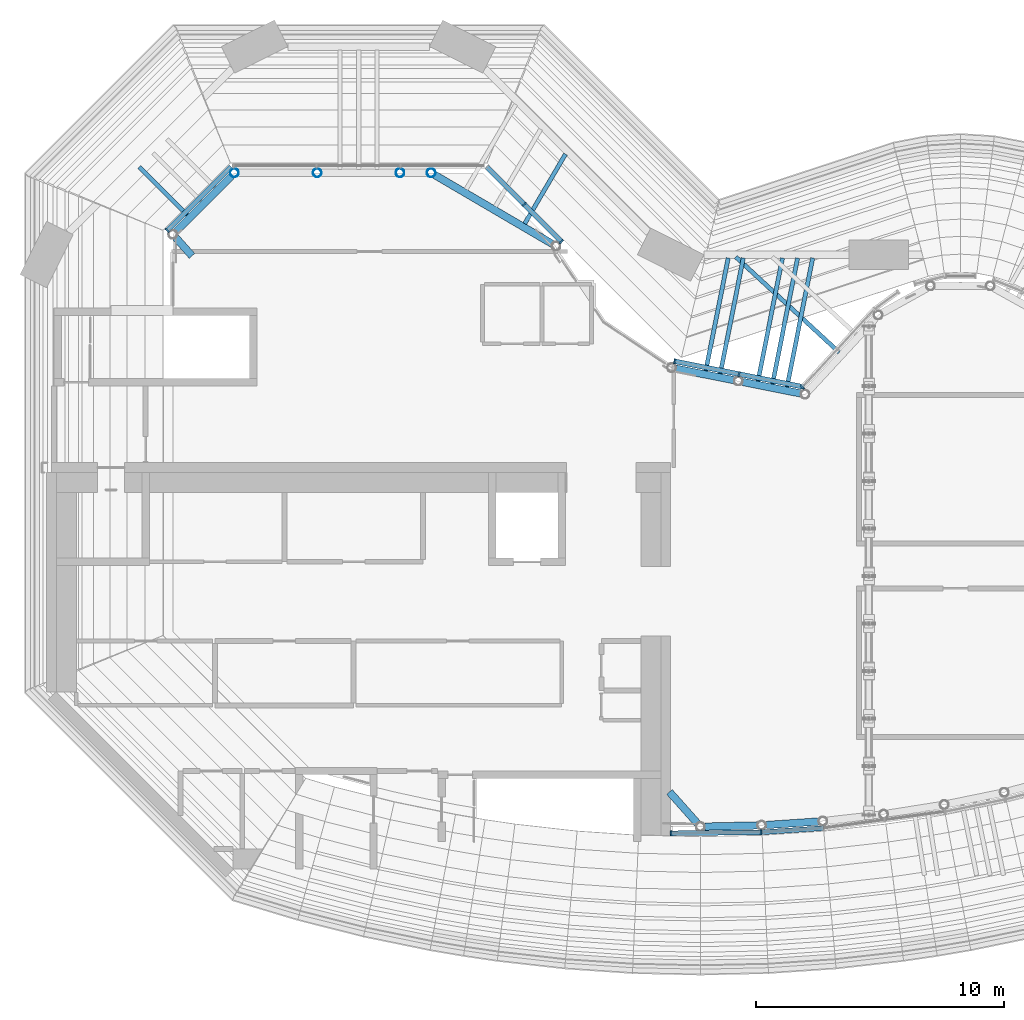
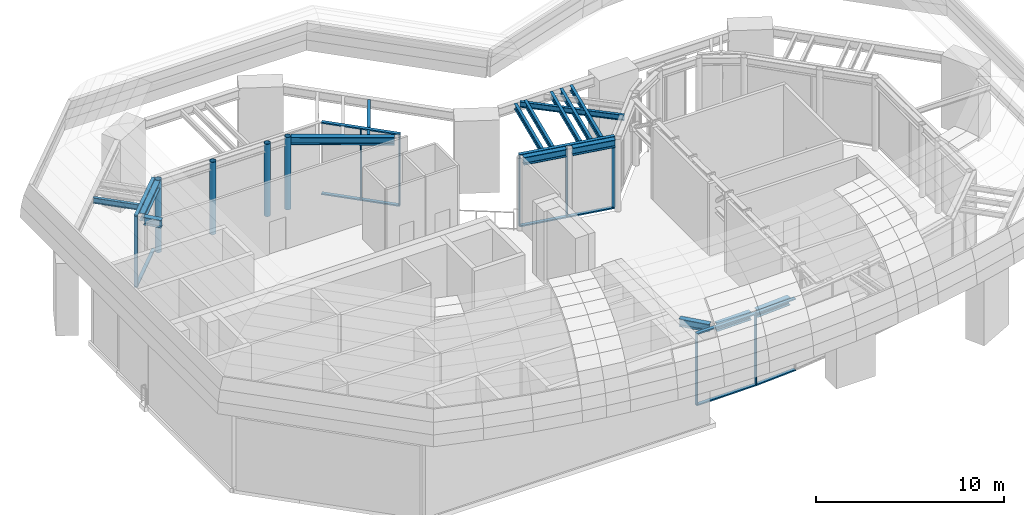
# One storey, part 3 of 20: 18 members, 16 beams, 4 columns, 6 elements without a shape of their own.
"""IFC4 building model written with IfcOpenShell, lengths in metres."""

from ifc_helpers import new_model, si_unit, direction, frame, origin, origin_2d, place, context, subcontext, project, spatial, rectangle, hollow_circle, i_section, extrude, material, material_profile, profile_set, type_object, element, aggregate, save


model = new_model("IFC4")

# Units and contexts
model_context = context("Model", 3, precision=1e-05, world=origin(), true_north=direction((0.0, 1.0)))
body_context = subcontext(model_context, "Body", "Model", "MODEL_VIEW")
ifc_project = project(units=[si_unit("LENGTHUNIT", "METRE"), si_unit("AREAUNIT", "SQUARE_METRE"), si_unit("VOLUMEUNIT", "CUBIC_METRE"), si_unit("PLANEANGLEUNIT", "RADIAN"), si_unit("MASSUNIT", "GRAM", prefix="KILO")], contexts=[model_context])

# Site, building, storey
site_placement = place(None, origin())
site = spatial("IfcSite", under=ifc_project, at=site_placement, CompositionType="ELEMENT")
building_placement = place(site_placement, origin())
building = spatial("IfcBuilding", under=site, at=building_placement, Name="Brevane Broadcast Tower", CompositionType="ELEMENT")
storey_placement = place(building_placement, frame((0.0, 0.0, 264.199951171875)))
storey = spatial("IfcBuildingStorey", under=building, at=storey_placement, Name="L66", CompositionType="ELEMENT", Elevation=264.199951171875)

# Columns
ifc_material_1 = material(Name="Steel S355", Category="steel")
ifc_material_profile_1 = material_profile(ifc_material_1, hollow_circle(Radius=0.177734375, WallThickness=0.012451171875, at=origin_2d()), Name="CHS 355.6x12.5")
ifc_profile_set_1 = profile_set([ifc_material_profile_1], Name="Steel S355")
column_type = type_object("IfcColumnType", Name="STEEL ENCLOSURE POST CHS 355.6x12.5 S355", PredefinedType="COLUMN", material=ifc_profile_set_1)
for number, where, z_axis, x_axis, name in (
    (1, (7.585205078125, 28.5, 0.0), (0.0, 0.0, 1.0), (1.0, 0.0, 0.0), "SP2 2"),
    (2, (10.928466796875, 28.5, 0.0), (0.0, 0.0, 1.0), (1.0, 0.0, 0.0), "SP2 3"),
    (3, (14.271484375, 28.5, 0.0), (0.0, 0.0, 1.0), (1.0, 0.0, 0.0), "SP2 4"),
    (4, (15.52880859375, 28.5, 0.0), (0.0, 0.0, 1.0), (1.0, 0.0, 0.0), "SP2 5"),
):
    element("IfcColumn", number, at=place(storey_placement, frame(where, z_axis=z_axis, x_axis=x_axis)), inside=storey, type_object=column_type, Name=name, PredefinedType="COLUMN", context=body_context, shape_type="SweptSolid", body=[
        extrude(hollow_circle(Radius=0.177734375, WallThickness=0.012451171875, at=origin_2d()), origin(), (0.0, 0.0, 1.0), 4.699951171875),
    ])

# Curtain wall, members
ifc_material_2 = material(Name="Aluminium 6063-T6 bronze anodised", Category="aluminium")
curtain_wall_type = type_object("IfcCurtainWallType", Name="CW-5 curtain wall", PredefinedType="NOTDEFINED", material=ifc_material_2)
curtain_wall_1_placement = place(storey_placement, origin())
curtain_wall_1 = element("IfcCurtainWall", 5, at=curtain_wall_1_placement, inside=storey, type_object=curtain_wall_type, Name="CW-5 gallery glazing 1", PredefinedType="NOTDEFINED")
ifc_material_profile_2 = material_profile(ifc_material_2, rectangle(XDim=0.199951171875, YDim=0.06005859375, at=origin_2d()), Name="RECT 60x200")
ifc_profile_set_2 = profile_set([ifc_material_profile_2], Name="Aluminium 6063-T6 bronze anodised")
member_type_1 = type_object("IfcMemberType", Name="CW-5 hall mullion 60x200", PredefinedType="MULLION", material=ifc_profile_set_2)
member_1_placement = place(storey_placement, frame((25.211181640625, 1.8349609375, 0.080078125), z_axis=(0.0, 0.0, 1.0), x_axis=(-0.011243631559, 0.999936788377, 0.0)))
member_1 = element("IfcMember", 6, at=member_1_placement, type_object=member_type_1, Name="CW-5 gallery glazing mullion", PredefinedType="MULLION", context=body_context, shape_type="SweptSolid", body=[
    extrude(rectangle(XDim=0.199951171875, YDim=0.06005859375, at=origin_2d()), origin(), (0.0, 0.0, 1.0), 4.5400390625),
])
member_2_placement = place(storey_placement, frame((28.853515625, 1.8759765625, 0.080078125), z_axis=(0.0, 0.0, 1.0), x_axis=(-0.011243631559, 0.999936788377, 0.0)))
member_2 = element("IfcMember", 7, at=member_2_placement, type_object=member_type_1, Name="CW-5 gallery glazing mullion", PredefinedType="MULLION", context=body_context, shape_type="SweptSolid", body=[
    extrude(rectangle(XDim=0.199951171875, YDim=0.06005859375, at=origin_2d()), origin(), (0.0, 0.0, 1.0), 4.5400390625),
])

# Curtain wall, member
curtain_wall_2_placement = place(storey_placement, origin())
curtain_wall_2 = element("IfcCurtainWall", 8, at=curtain_wall_2_placement, inside=storey, type_object=curtain_wall_type, Name="CW-5 gallery glazing 14", PredefinedType="NOTDEFINED")
member_3_placement = place(storey_placement, frame((30.5107421875, 19.84521484375, 0.080078125), z_axis=(0.0, 0.0, 1.0), x_axis=(0.734785014559, -0.678300068097, 0.0)))
member_3 = element("IfcMember", 9, at=member_3_placement, type_object=member_type_1, Name="CW-5 gallery glazing mullion", PredefinedType="MULLION", context=body_context, shape_type="SweptSolid", body=[
    extrude(rectangle(XDim=0.199951171875, YDim=0.06005859375, at=origin_2d()), origin(), (0.0, 0.0, 1.0), 4.5400390625),
])
aggregate(curtain_wall_2, [member_3])

# Curtain wall, members
curtain_wall_3_placement = place(storey_placement, origin())
curtain_wall_3 = element("IfcCurtainWall", 10, at=curtain_wall_3_placement, inside=storey, type_object=curtain_wall_type, Name="CW-5 gallery glazing 15", PredefinedType="NOTDEFINED")
member_4_placement = place(storey_placement, frame((27.956787109375, 20.3759765625, 0.080078125), z_axis=(0.0, 0.0, 1.0), x_axis=(-0.195090245294, -0.980785295664, 0.0)))
member_4 = element("IfcMember", 11, at=member_4_placement, type_object=member_type_1, Name="CW-5 gallery glazing mullion", PredefinedType="MULLION", context=body_context, shape_type="SweptSolid", body=[
    extrude(rectangle(XDim=0.199951171875, YDim=0.06005859375, at=origin_2d()), origin(), (0.0, 0.0, 1.0), 4.5400390625),
])
member_5_placement = place(storey_placement, frame((25.359619140625, 20.892578125, 0.080078125), z_axis=(0.0, 0.0, 1.0), x_axis=(-0.195090245294, -0.980785295664, 0.0)))
member_5 = element("IfcMember", 12, at=member_5_placement, type_object=member_type_1, Name="CW-5 gallery glazing mullion", PredefinedType="MULLION", context=body_context, shape_type="SweptSolid", body=[
    extrude(rectangle(XDim=0.199951171875, YDim=0.06005859375, at=origin_2d()), origin(), (0.0, 0.0, 1.0), 4.5400390625),
])

curtain_wall_4_placement = place(storey_placement, origin())
curtain_wall_4 = element("IfcCurtainWall", 13, at=curtain_wall_4_placement, inside=storey, type_object=curtain_wall_type, Name="CW-5 gallery glazing 16", PredefinedType="NOTDEFINED")
member_6_placement = place(storey_placement, frame((20.78564453125, 25.724853515625, 0.080078125), z_axis=(0.0, 0.0, 1.0), x_axis=(-0.707106781187, -0.707106781187, 0.0)))
member_6 = element("IfcMember", 14, at=member_6_placement, type_object=member_type_1, Name="CW-5 gallery glazing mullion", PredefinedType="MULLION", context=body_context, shape_type="SweptSolid", body=[
    extrude(rectangle(XDim=0.199951171875, YDim=0.06005859375, at=origin_2d()), origin(), (0.0, 0.0, 1.0), 4.5400390625),
])
member_7_placement = place(storey_placement, frame((19.283447265625, 27.227294921875, 0.080078125), z_axis=(0.0, 0.0, 1.0), x_axis=(-0.707106781187, -0.707106781187, 0.0)))
member_7 = element("IfcMember", 15, at=member_7_placement, type_object=member_type_1, Name="CW-5 gallery glazing mullion", PredefinedType="MULLION", context=body_context, shape_type="SweptSolid", body=[
    extrude(rectangle(XDim=0.199951171875, YDim=0.06005859375, at=origin_2d()), origin(), (0.0, 0.0, 1.0), 4.5400390625),
])

# Curtain wall, member
curtain_wall_5_placement = place(storey_placement, origin())
curtain_wall_5 = element("IfcCurtainWall", 16, at=curtain_wall_5_placement, inside=storey, type_object=curtain_wall_type, Name="CW-5 gallery glazing 18", PredefinedType="NOTDEFINED")
member_8_placement = place(storey_placement, frame((4.87060546875, 26.18115234375, 0.080078125), z_axis=(0.0, 0.0, 1.0), x_axis=(0.707106781187, -0.707106781187, 0.0)))
member_8 = element("IfcMember", 17, at=member_8_placement, type_object=member_type_1, Name="CW-5 gallery glazing mullion", PredefinedType="MULLION", context=body_context, shape_type="SweptSolid", body=[
    extrude(rectangle(XDim=0.199951171875, YDim=0.06005859375, at=origin_2d()), origin(), (0.0, 0.0, 1.0), 4.5400390625),
])

# Member
ifc_material_profile_3 = material_profile(ifc_material_2, rectangle(XDim=0.199951171875, YDim=0.080078125, at=origin_2d()), Name="RECT 80x200")
ifc_profile_set_3 = profile_set([ifc_material_profile_3], Name="Aluminium 6063-T6 bronze anodised")
member_type_2 = type_object("IfcMemberType", Name="CW-5 hall transom 80x200", PredefinedType="USERDEFINED", material=ifc_profile_set_3)
member_9_placement = place(storey_placement, frame((25.18115234375, 1.83447265625, 0.0400390625), z_axis=(0.999936432375, 0.011275247605, 0.0), x_axis=(-0.011275247605, 0.999936432375, 0.0)))
member_9 = element("IfcMember", 18, at=member_9_placement, type_object=member_type_2, Name="CW-5 gallery glazing transom", ObjectType="TRANSOM", PredefinedType="USERDEFINED", context=body_context, shape_type="SweptSolid", body=[
    extrude(rectangle(XDim=0.199951171875, YDim=0.080078125, at=origin_2d()), origin(), (0.0, 0.0, 1.0), 3.70263671875),
])

member_10_placement = place(storey_placement, frame((25.18115234375, 1.83447265625, 4.66015625), z_axis=(0.999936432375, 0.011275247605, 0.0), x_axis=(-0.011275247605, 0.999936432375, 0.0)))
member_10 = element("IfcMember", 19, at=member_10_placement, type_object=member_type_2, Name="CW-5 gallery glazing transom", ObjectType="TRANSOM", PredefinedType="USERDEFINED", context=body_context, shape_type="SweptSolid", body=[
    extrude(rectangle(XDim=0.199951171875, YDim=0.080078125, at=origin_2d()), origin(), (0.0, 0.0, 1.0), 3.70263671875),
])

aggregate(curtain_wall_1, [member_1, member_2, member_9, member_10])

# Curtain wall, members
curtain_wall_6_placement = place(storey_placement, origin())
curtain_wall_6 = element("IfcCurtainWall", 20, at=curtain_wall_6_placement, inside=storey, type_object=curtain_wall_type, Name="CW-5 gallery glazing 2", PredefinedType="NOTDEFINED")
member_11_placement = place(storey_placement, frame((28.88916015625, 1.87646484375, 0.0400390625), z_axis=(0.997722953069, 0.067445599705, 0.0), x_axis=(-0.067445599705, 0.997722953069, 0.0)))
member_11 = element("IfcMember", 21, at=member_11_placement, type_object=member_type_2, Name="CW-5 gallery glazing transom", ObjectType="TRANSOM", PredefinedType="USERDEFINED", context=body_context, shape_type="SweptSolid", body=[
    extrude(rectangle(XDim=0.199951171875, YDim=0.080078125, at=origin_2d()), origin(), (0.0, 0.0, 1.0), 2.483154296875),
])
member_12_placement = place(storey_placement, frame((28.88916015625, 1.87646484375, 4.66015625), z_axis=(0.997722953069, 0.067445599705, 0.0), x_axis=(-0.067445599705, 0.997722953069, 0.0)))
member_12 = element("IfcMember", 22, at=member_12_placement, type_object=member_type_2, Name="CW-5 gallery glazing transom", ObjectType="TRANSOM", PredefinedType="USERDEFINED", context=body_context, shape_type="SweptSolid", body=[
    extrude(rectangle(XDim=0.199951171875, YDim=0.080078125, at=origin_2d()), origin(), (0.0, 0.0, 1.0), 2.483154296875),
])
aggregate(curtain_wall_6, [member_11, member_12])

# Member
member_13_placement = place(storey_placement, frame((30.583251953125, 19.853515625, 0.0400390625), z_axis=(-0.980783522829, 0.19509915773, 0.0), x_axis=(-0.19509915773, -0.980783522829, 0.0)))
member_13 = element("IfcMember", 23, at=member_13_placement, type_object=member_type_2, Name="CW-5 gallery glazing transom", ObjectType="TRANSOM", PredefinedType="USERDEFINED", context=body_context, shape_type="SweptSolid", body=[
    extrude(rectangle(XDim=0.199951171875, YDim=0.080078125, at=origin_2d()), origin(), (0.0, 0.0, 1.0), 5.35595703125),
])

member_14_placement = place(storey_placement, frame((30.583251953125, 19.853515625, 4.66015625), z_axis=(-0.980783522829, 0.19509915773, 0.0), x_axis=(-0.19509915773, -0.980783522829, 0.0)))
member_14 = element("IfcMember", 24, at=member_14_placement, type_object=member_type_2, Name="CW-5 gallery glazing transom", ObjectType="TRANSOM", PredefinedType="USERDEFINED", context=body_context, shape_type="SweptSolid", body=[
    extrude(rectangle(XDim=0.199951171875, YDim=0.080078125, at=origin_2d()), origin(), (0.0, 0.0, 1.0), 5.35595703125),
])

aggregate(curtain_wall_3, [member_4, member_5, member_13, member_14])

member_15_placement = place(storey_placement, frame((20.806884765625, 25.70361328125, 0.0400390625), z_axis=(-0.707078452155, 0.707135109083, 0.0), x_axis=(-0.707135109083, -0.707078452155, 0.0)))
member_15 = element("IfcMember", 25, at=member_15_placement, type_object=member_type_2, Name="CW-5 gallery glazing transom", ObjectType="TRANSOM", PredefinedType="USERDEFINED", context=body_context, shape_type="SweptSolid", body=[
    extrude(rectangle(XDim=0.199951171875, YDim=0.080078125, at=origin_2d()), origin(), (0.0, 0.0, 1.0), 4.30908203125),
])

member_16_placement = place(storey_placement, frame((20.806884765625, 25.70361328125, 4.66015625), z_axis=(-0.707078452155, 0.707135109083, 0.0), x_axis=(-0.707135109083, -0.707078452155, 0.0)))
member_16 = element("IfcMember", 26, at=member_16_placement, type_object=member_type_2, Name="CW-5 gallery glazing transom", ObjectType="TRANSOM", PredefinedType="USERDEFINED", context=body_context, shape_type="SweptSolid", body=[
    extrude(rectangle(XDim=0.199951171875, YDim=0.080078125, at=origin_2d()), origin(), (0.0, 0.0, 1.0), 4.30908203125),
])

aggregate(curtain_wall_4, [member_6, member_7, member_15, member_16])

member_17_placement = place(storey_placement, frame((7.43994140625, 28.750732421875, 0.0400390625), z_axis=(-0.707073462455, -0.707140098348, 0.0), x_axis=(0.707140098348, -0.707073462455, 0.0)))
member_17 = element("IfcMember", 27, at=member_17_placement, type_object=member_type_2, Name="CW-5 gallery glazing transom", ObjectType="TRANSOM", PredefinedType="USERDEFINED", context=body_context, shape_type="SweptSolid", body=[
    extrude(rectangle(XDim=0.199951171875, YDim=0.080078125, at=origin_2d()), origin(), (0.0, 0.0, 1.0), 3.663818359375),
])

member_18_placement = place(storey_placement, frame((7.43994140625, 28.750732421875, 4.66015625), z_axis=(-0.707073462455, -0.707140098348, 0.0), x_axis=(0.707140098348, -0.707073462455, 0.0)))
member_18 = element("IfcMember", 28, at=member_18_placement, type_object=member_type_2, Name="CW-5 gallery glazing transom", ObjectType="TRANSOM", PredefinedType="USERDEFINED", context=body_context, shape_type="SweptSolid", body=[
    extrude(rectangle(XDim=0.199951171875, YDim=0.080078125, at=origin_2d()), origin(), (0.0, 0.0, 1.0), 3.663818359375),
])

aggregate(curtain_wall_5, [member_8, member_17, member_18])

# Beams
ifc_material_profile_4 = material_profile(ifc_material_1, i_section(OverallWidth=0.169921875, OverallDepth=0.360107421875, WebThickness=0.008056640625, FlangeThickness=0.0126953125, FilletRadius=0.01806640625, at=origin_2d()), Name="IPE 360")
ifc_profile_set_4 = profile_set([ifc_material_profile_4], Name="Steel S355")
beam_type_1 = type_object("IfcBeamType", Name="STEEL CANOPY RAFTER IPE 360 S355", PredefinedType="BEAM", material=ifc_profile_set_4)
beam_1_placement = place(storey_placement, frame((5.685302734375, 26.7978515625, 4.52001953125), z_axis=(-0.70715116538, 0.707062394207, 0.0), x_axis=(-0.707062394207, -0.70715116538, 0.0)))
element("IfcBeam", 29, at=beam_1_placement, inside=storey, type_object=beam_type_1, Name="SB2 1", PredefinedType="BEAM", context=body_context, shape_type="SweptSolid", body=[
    extrude(i_section(OverallWidth=0.169921875, OverallDepth=0.360107421875, WebThickness=0.008056640625, FlangeThickness=0.0126953125, FilletRadius=0.01806640625, at=origin_2d()), origin(), (0.0, 0.0, 1.0), 2.750244140625),
])
beam_2_placement = place(storey_placement, frame((19.30419921875, 26.448974609375, 4.52001953125), z_axis=(0.505790702937, 0.862656226328, 0.0), x_axis=(-0.862656226328, 0.505790702937, 0.0)))
element("IfcBeam", 30, at=beam_2_placement, inside=storey, type_object=beam_type_1, Name="SB2 9", PredefinedType="BEAM", context=body_context, shape_type="SweptSolid", body=[
    extrude(i_section(OverallWidth=0.169921875, OverallDepth=0.360107421875, WebThickness=0.008056640625, FlangeThickness=0.0126953125, FilletRadius=0.01806640625, at=origin_2d()), origin(), (0.0, 0.0, 1.0), 3.255859375),
])
beam_3_placement = place(storey_placement, frame((26.614501953125, 20.500244140625, 4.52001953125), z_axis=(0.195126957198, 0.980777992501, 0.0), x_axis=(-0.980777992501, 0.195126957198, 0.0)))
element("IfcBeam", 31, at=beam_3_placement, inside=storey, type_object=beam_type_1, Name="SB2 10", PredefinedType="BEAM", context=body_context, shape_type="SweptSolid", body=[
    extrude(i_section(OverallWidth=0.169921875, OverallDepth=0.360107421875, WebThickness=0.008056640625, FlangeThickness=0.0126953125, FilletRadius=0.01806640625, at=origin_2d()), origin(), (0.0, 0.0, 1.0), 4.65185546875),
])
beam_4_placement = place(storey_placement, frame((27.20068359375, 20.383544921875, 4.52001953125), z_axis=(0.195122100072, 0.98077895882, 0.0), x_axis=(-0.98077895882, 0.195122100072, 0.0)))
element("IfcBeam", 32, at=beam_4_placement, inside=storey, type_object=beam_type_1, Name="SB2 11", PredefinedType="BEAM", context=body_context, shape_type="SweptSolid", body=[
    extrude(i_section(OverallWidth=0.169921875, OverallDepth=0.360107421875, WebThickness=0.008056640625, FlangeThickness=0.0126953125, FilletRadius=0.01806640625, at=origin_2d()), origin(), (0.0, 0.0, 1.0), 4.77099609375),
])
beam_5_placement = place(storey_placement, frame((28.721923828125, 20.0810546875, 4.52001953125), z_axis=(0.195099252282, 0.980783504021, 0.0), x_axis=(-0.980783504021, 0.195099252282, 0.0)))
element("IfcBeam", 33, at=beam_5_placement, inside=storey, type_object=beam_type_1, Name="SB2 12", PredefinedType="BEAM", context=body_context, shape_type="SweptSolid", body=[
    extrude(i_section(OverallWidth=0.169921875, OverallDepth=0.360107421875, WebThickness=0.008056640625, FlangeThickness=0.0126953125, FilletRadius=0.01806640625, at=origin_2d()), origin(), (0.0, 0.0, 1.0), 5.079345703125),
])
beam_6_placement = place(storey_placement, frame((29.30810546875, 19.96435546875, 4.52001953125), z_axis=(0.195095428591, 0.980784264629, 0.0), x_axis=(-0.980784264629, 0.195095428591, 0.0)))
element("IfcBeam", 34, at=beam_6_placement, inside=storey, type_object=beam_type_1, Name="SB2 13", PredefinedType="BEAM", context=body_context, shape_type="SweptSolid", body=[
    extrude(i_section(OverallWidth=0.169921875, OverallDepth=0.360107421875, WebThickness=0.008056640625, FlangeThickness=0.0126953125, FilletRadius=0.01806640625, at=origin_2d()), origin(), (0.0, 0.0, 1.0), 5.1982421875),
])
beam_7_placement = place(storey_placement, frame((29.89453125, 19.847900390625, 4.52001953125), z_axis=(0.195056392253, 0.980792028843, 0.0), x_axis=(-0.980792028843, 0.195056392253, 0.0)))
element("IfcBeam", 35, at=beam_7_placement, inside=storey, type_object=beam_type_1, Name="SB2 14", PredefinedType="BEAM", context=body_context, shape_type="SweptSolid", body=[
    extrude(i_section(OverallWidth=0.169921875, OverallDepth=0.360107421875, WebThickness=0.008056640625, FlangeThickness=0.0126953125, FilletRadius=0.01806640625, at=origin_2d()), origin(), (0.0, 0.0, 1.0), 5.31689453125),
])
beam_8_placement = place(storey_placement, frame((32.001708984375, 21.25390625, 4.52001953125), z_axis=(-0.734793553047, 0.678290818455, 0.0), x_axis=(-0.678290818455, -0.734793553047, 0.0)))
element("IfcBeam", 36, at=beam_8_placement, inside=storey, type_object=beam_type_1, Name="SB2 15", PredefinedType="BEAM", context=body_context, shape_type="SweptSolid", body=[
    extrude(i_section(OverallWidth=0.169921875, OverallDepth=0.360107421875, WebThickness=0.008056640625, FlangeThickness=0.0126953125, FilletRadius=0.01806640625, at=origin_2d()), origin(), (0.0, 0.0, 1.0), 5.677734375),
])
ifc_material_profile_5 = material_profile(ifc_material_1, i_section(OverallWidth=0.300048828125, OverallDepth=0.5, WebThickness=0.014404296875, FlangeThickness=0.028076171875, FilletRadius=0.027099609375, at=origin_2d()), Name="HE 500 B")
ifc_profile_set_5 = profile_set([ifc_material_profile_5], Name="Steel S355")
beam_type_2 = type_object("IfcBeamType", Name="STEEL ENCLOSURE RING BEAM HE 500 B S355", PredefinedType="BEAM", material=ifc_profile_set_5)
beam_9_placement = place(storey_placement, frame((5.225830078125, 26.140380859375, 4.449951171875), z_axis=(0.707068138304, 0.707145421957, 0.0), x_axis=(-0.707145421957, 0.707068138304, 0.0)))
element("IfcBeam", 37, at=beam_9_placement, inside=storey, type_object=beam_type_2, Name="SB3 E1", PredefinedType="BEAM", context=body_context, shape_type="SweptSolid", body=[
    extrude(i_section(OverallWidth=0.300048828125, OverallDepth=0.5, WebThickness=0.014404296875, FlangeThickness=0.028076171875, FilletRadius=0.027099609375, at=origin_2d()), origin(), (0.0, 0.0, 1.0), 3.158935546875),
])
beam_10_placement = place(storey_placement, frame((15.68212890625, 28.41015625, 4.449951171875), z_axis=(0.862687932425, -0.505736622412, 0.0), x_axis=(0.505736622412, 0.862687932425, 0.0)))
element("IfcBeam", 38, at=beam_10_placement, inside=storey, type_object=beam_type_2, Name="SB3 E5", PredefinedType="BEAM", context=body_context, shape_type="SweptSolid", body=[
    extrude(i_section(OverallWidth=0.300048828125, OverallDepth=0.5, WebThickness=0.014404296875, FlangeThickness=0.028076171875, FilletRadius=0.027099609375, at=origin_2d()), origin(), (0.0, 0.0, 1.0), 5.48876953125),
])
for number, where, z_axis, x_axis, name in (
    (39, (25.414794921875, 20.59619140625, 4.449951171875), (0.98077655153, -0.195134199893, 0.0), (0.195134199893, 0.98077655153, 0.0), "SB3 E7"),
    (40, (28.1083984375, 20.060302734375, 4.449951171875), (0.980796089323, -0.195035974035, 0.0), (0.195035974035, 0.980796089323, 0.0), "SB3 E8"),
):
    element("IfcBeam", number, at=place(storey_placement, frame(where, z_axis=z_axis, x_axis=x_axis)), inside=storey, type_object=beam_type_2, Name=name, PredefinedType="BEAM", context=body_context, shape_type="SweptSolid", body=[
        extrude(i_section(OverallWidth=0.300048828125, OverallDepth=0.5, WebThickness=0.014404296875, FlangeThickness=0.028076171875, FilletRadius=0.027099609375, at=origin_2d()), origin(), (0.0, 0.0, 1.0), 2.390869140625),
    ])
beam_11_placement = place(storey_placement, frame((31.16650390625, 2.310791015625, 4.449951171875), z_axis=(-0.997727714585, -0.067375125595, 0.0), x_axis=(0.067375125595, -0.997727714585, 0.0)))
element("IfcBeam", 41, at=beam_11_placement, inside=storey, type_object=beam_type_2, Name="SB3 E23", PredefinedType="BEAM", context=body_context, shape_type="SweptSolid", body=[
    extrude(i_section(OverallWidth=0.300048828125, OverallDepth=0.5, WebThickness=0.014404296875, FlangeThickness=0.028076171875, FilletRadius=0.027099609375, at=origin_2d()), origin(), (0.0, 0.0, 1.0), 2.119873046875),
])
beam_12_placement = place(storey_placement, frame((28.69677734375, 2.152099609375, 4.449951171875), z_axis=(-0.999747747532, -0.022459770826, 0.0), x_axis=(0.022459770826, -0.999747747532, 0.0)))
element("IfcBeam", 42, at=beam_12_placement, inside=storey, type_object=beam_type_2, Name="SB3 E24", PredefinedType="BEAM", context=body_context, shape_type="SweptSolid", body=[
    extrude(i_section(OverallWidth=0.300048828125, OverallDepth=0.5, WebThickness=0.014404296875, FlangeThickness=0.028076171875, FilletRadius=0.027099609375, at=origin_2d()), origin(), (0.0, 0.0, 1.0), 2.11962890625),
])
beam_13_placement = place(storey_placement, frame((26.281982421875, 2.23291015625, 4.449951171875), z_axis=(-0.665120255398, 0.746736262585, 0.0), x_axis=(-0.746736262585, -0.665120255398, 0.0)))
element("IfcBeam", 43, at=beam_13_placement, inside=storey, type_object=beam_type_2, Name="SB3 E25", PredefinedType="BEAM", context=body_context, shape_type="SweptSolid", body=[
    extrude(i_section(OverallWidth=0.300048828125, OverallDepth=0.5, WebThickness=0.014404296875, FlangeThickness=0.028076171875, FilletRadius=0.027099609375, at=origin_2d()), origin(), (0.0, 0.0, 1.0), 1.7021484375),
])
beam_14_placement = place(storey_placement, frame((5.8701171875, 25.14990234375, 4.449951171875), z_axis=(-0.665089930097, 0.746763272318, 0.0), x_axis=(-0.746763272318, -0.665089930097, 0.0)))
element("IfcBeam", 44, at=beam_14_placement, inside=storey, type_object=beam_type_2, Name="SB3 E25", PredefinedType="BEAM", context=body_context, shape_type="SweptSolid", body=[
    extrude(i_section(OverallWidth=0.300048828125, OverallDepth=0.5, WebThickness=0.014404296875, FlangeThickness=0.028076171875, FilletRadius=0.027099609375, at=origin_2d()), origin(), (0.0, 0.0, 1.0), 0.98046875),
])

save(model, "model.ifc")
